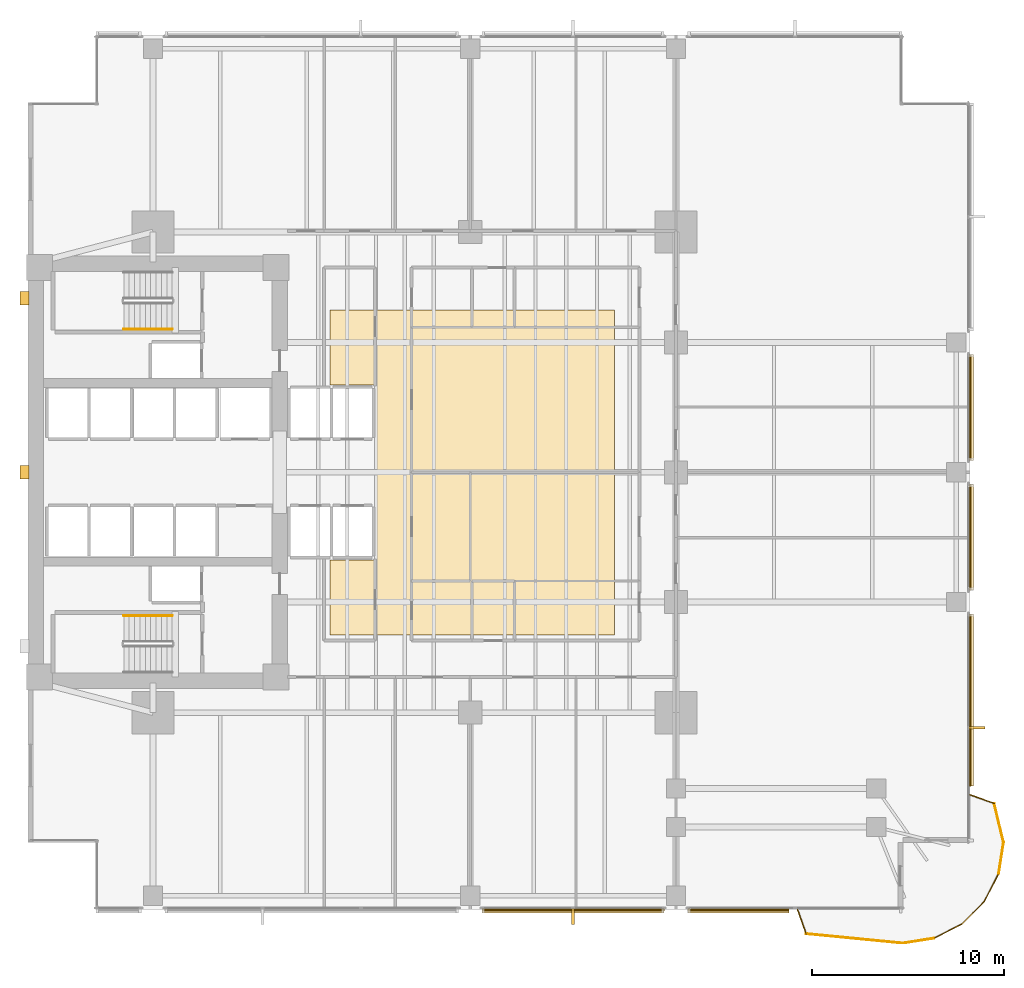
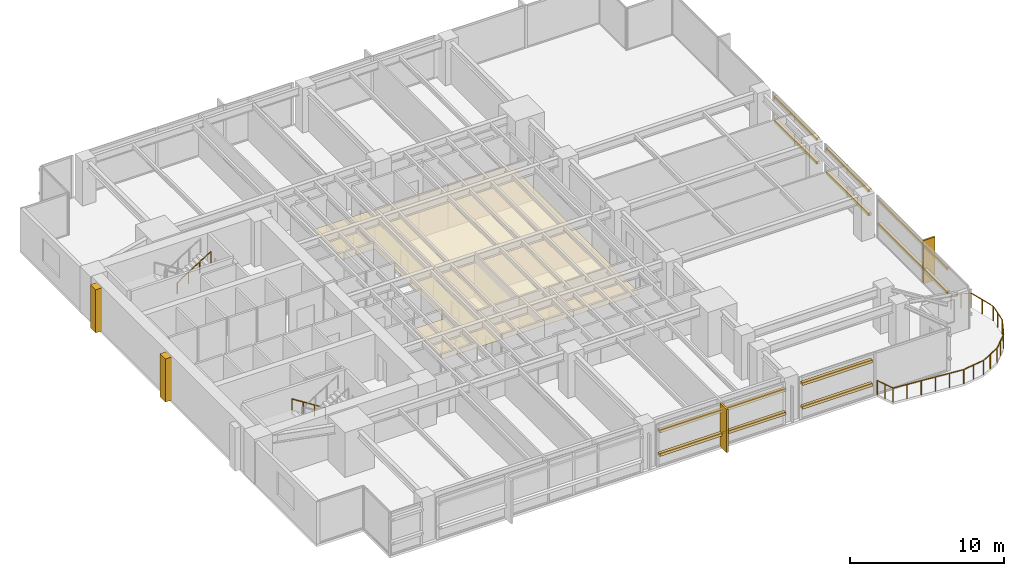
# One storey, part 13 of 15: 15 coverings, 11 railings, 10 shading devices.
"""IFC4 building model written with IfcOpenShell, lengths in metres."""

from ifc_helpers import new_model, si_unit, direction, frame, origin, origin_2d, place, context, subcontext, project, spatial, polyline, rectangle, circle, outline, extrude, material, layer, layer_set, material_profile, profile_set, type_object, element, save


model = new_model("IFC4")

# Units and contexts
model_context = context("Model", 3, precision=1e-05, world=origin(), true_north=direction((0.0, 1.0)))
body_context = subcontext(model_context, "Body", "Model", "MODEL_VIEW")
ifc_project = project(units=[si_unit("LENGTHUNIT", "METRE"), si_unit("AREAUNIT", "SQUARE_METRE"), si_unit("VOLUMEUNIT", "CUBIC_METRE"), si_unit("PLANEANGLEUNIT", "RADIAN"), si_unit("MASSUNIT", "GRAM", prefix="KILO")], contexts=[model_context])

# Site, building, storey
site_placement = place(None, origin())
site = spatial("IfcSite", under=ifc_project, at=site_placement, CompositionType="ELEMENT")
building_placement = place(site_placement, origin())
building = spatial("IfcBuilding", under=site, at=building_placement, Name="Kinhvarn Gate Tower", CompositionType="ELEMENT")
storey_placement = place(building_placement, frame((0.0, 0.0, 61.10009765625)))
storey = spatial("IfcBuildingStorey", under=building, at=storey_placement, Name="L15", CompositionType="ELEMENT", Elevation=61.10009765625)

# Coverings
ifc_material_1 = material(Name="Fired architectural terracotta", Category="masonry")
ifc_layer_1 = layer(ifc_material_1, 0.239990234375)
ifc_layer_set_1 = layer_set([ifc_layer_1], Name="Fired architectural terracotta")
covering_type_1 = type_object("IfcCoveringType", Name="COV-BAG-220", PredefinedType="CLADDING", material=ifc_layer_set_1)
for number, where, name in (
    (1, (0.0, 0.0, 0.93994140625), "Terracotta Horizontal Sunscreen Band TBG-220 (L15)"),
    (2, (0.0, 0.0, 2.809814453125), "Terracotta Horizontal Sunscreen Band TBG-220 (L15)"),
):
    element("IfcCovering", number, at=place(storey_placement, frame(where)), inside=storey, type_object=covering_type_1, Name=name, PredefinedType="CLADDING", context=body_context, shape_type="SweptSolid", body=[
        extrude(outline(polyline([(28.1201171875, 2.56005859375), (37.580078125, 2.56005859375), (37.580078125, 2.320068359375), (28.1201171875, 2.320068359375), (28.1201171875, 2.56005859375)])), origin(), (0.0, 0.0, 1.0), 0.219970703125),
    ])
for number, where, name in (
    (3, (0.0, 0.0, 0.93994140625), "Terracotta Horizontal Sunscreen Band TBG-220 (L15)"),
    (4, (0.0, 0.0, 2.809814453125), "Terracotta Horizontal Sunscreen Band TBG-220 (L15)"),
):
    element("IfcCovering", number, at=place(storey_placement, frame(where)), inside=storey, type_object=covering_type_1, Name=name, PredefinedType="CLADDING", context=body_context, shape_type="SweptSolid", body=[
        extrude(outline(polyline([(38.820068359375, 2.56005859375), (44.076904296875, 2.56005859375), (44.076904296875, 2.320068359375), (38.820068359375, 2.320068359375), (38.820068359375, 2.56005859375)])), origin(), (0.0, 0.0, 1.0), 0.219970703125),
    ])
for number, where, name in (
    (5, (0.0, 0.0, 0.93994140625), "Terracotta Horizontal Sunscreen Band TBG-220 (L15)"),
    (6, (0.0, 0.0, 2.809814453125), "Terracotta Horizontal Sunscreen Band TBG-220 (L15)"),
):
    element("IfcCovering", number, at=place(storey_placement, frame(where)), inside=storey, type_object=covering_type_1, Name=name, PredefinedType="CLADDING", context=body_context, shape_type="SweptSolid", body=[
        extrude(outline(polyline([(53.43994140625, 8.927001953125), (53.43994140625, 17.8798828125), (53.679931640625, 17.8798828125), (53.679931640625, 8.927001953125), (53.43994140625, 8.927001953125)])), origin(), (0.0, 0.0, 1.0), 0.219970703125),
    ])
for number, where, name in (
    (7, (0.0, 0.0, 0.93994140625), "Terracotta Horizontal Sunscreen Band TBG-220 (L15)"),
    (8, (0.0, 0.0, 2.809814453125), "Terracotta Horizontal Sunscreen Band TBG-220 (L15)"),
):
    element("IfcCovering", number, at=place(storey_placement, frame(where)), inside=storey, type_object=covering_type_1, Name=name, PredefinedType="CLADDING", context=body_context, shape_type="SweptSolid", body=[
        extrude(outline(polyline([(53.43994140625, 19.1201171875), (53.43994140625, 24.6298828125), (53.679931640625, 24.6298828125), (53.679931640625, 19.1201171875), (53.43994140625, 19.1201171875)])), origin(), (0.0, 0.0, 1.0), 0.219970703125),
    ])
for number, where, name in (
    (9, (0.0, 0.0, 0.93994140625), "Terracotta Horizontal Sunscreen Band TBG-220 (L15)"),
    (10, (0.0, 0.0, 2.809814453125), "Terracotta Horizontal Sunscreen Band TBG-220 (L15)"),
):
    element("IfcCovering", number, at=place(storey_placement, frame(where)), inside=storey, type_object=covering_type_1, Name=name, PredefinedType="CLADDING", context=body_context, shape_type="SweptSolid", body=[
        extrude(outline(polyline([(53.43994140625, 25.8701171875), (53.43994140625, 31.3798828125), (53.679931640625, 31.3798828125), (53.679931640625, 25.8701171875), (53.43994140625, 25.8701171875)])), origin(), (0.0, 0.0, 1.0), 0.219970703125),
    ])
ifc_material_2 = material(Name="Mineral-fibre acoustic ceiling tile")
ifc_layer_2 = layer(ifc_material_2, 0.02001953125)
ifc_layer_set_2 = layer_set([ifc_layer_2], Name="Mineral-fibre acoustic ceiling tile")
covering_type_2 = type_object("IfcCoveringType", Name="COV-CEIL-20", PredefinedType="CEILING", material=ifc_layer_set_2)
covering_1_placement = place(storey_placement, frame((0.0, 0.0, 2.64990234375)))
element("IfcCovering", 11, at=covering_1_placement, inside=storey, type_object=covering_type_2, Name="Suspended Acoustic Ceiling Tile (L15-1)", PredefinedType="CEILING", context=body_context, shape_type="SweptSolid", body=[
    extrude(outline(polyline([(35.0, 33.699951171875), (35.0, 16.800048828125), (20.199951171875, 16.800048828125), (20.199951171875, 20.699951171875), (22.60009765625, 20.699951171875), (22.60009765625, 29.800048828125), (20.199951171875, 29.800048828125), (20.199951171875, 33.699951171875), (35.0, 33.699951171875)])), origin(), (0.0, 0.0, 1.0), 0.02001953125),
])
ifc_layer_3 = layer(ifc_material_1, 0.139892578125)
ifc_layer_set_3 = layer_set([ifc_layer_3], Name="Fired architectural terracotta")
covering_type_3 = type_object("IfcCoveringType", Name="COV-FIN-850", PredefinedType="CLADDING", material=ifc_layer_set_3)
covering_2_placement = place(storey_placement, frame((0.0, 0.0, -0.02001953125)))
element("IfcCovering", 12, at=covering_2_placement, inside=storey, type_object=covering_type_3, Name="Vertical Terracotta Expressive Fin TFN-850 (L15)", PredefinedType="CLADDING", context=body_context, shape_type="SweptSolid", body=[
    extrude(outline(polyline([(32.780029296875, 2.570068359375), (32.919921875, 2.570068359375), (32.919921875, 1.719970703125), (32.780029296875, 1.719970703125), (32.780029296875, 2.570068359375)])), origin(), (0.0, 0.0, 1.0), 3.409912109375),
])
covering_3_placement = place(storey_placement, frame((0.0, 0.0, -0.02001953125)))
element("IfcCovering", 13, at=covering_3_placement, inside=storey, type_object=covering_type_3, Name="Vertical Terracotta Expressive Fin TFN-850 (L15)", PredefinedType="CLADDING", context=body_context, shape_type="SweptSolid", body=[
    extrude(outline(polyline([(53.429931640625, 11.889892578125), (53.429931640625, 12.030029296875), (54.280029296875, 12.030029296875), (54.280029296875, 11.889892578125), (53.429931640625, 11.889892578125)])), origin(), (0.0, 0.0, 1.0), 3.409912109375),
])
ifc_material_3 = material(Name="Precast white architectural concrete C40/50", Category="concrete")
ifc_layer_4 = layer(ifc_material_3, 0.47998046875)
ifc_layer_set_4 = layer_set([ifc_layer_4], Name="Precast white architectural concrete C40/50")
covering_type_4 = type_object("IfcCoveringType", Name="COV-RIB-450", PredefinedType="CLADDING", material=ifc_layer_set_4)
covering_4_placement = place(storey_placement, frame((0.0, 0.0, -0.02001953125)))
element("IfcCovering", 14, at=covering_4_placement, inside=storey, type_object=covering_type_4, Name="West Core Sculptural Concrete Relief Rib CRB-450 (L15)", PredefinedType="CLADDING", context=body_context, shape_type="SweptSolid", body=[
    extrude(outline(polyline([(4.080078125, 24.89990234375), (4.56005859375, 24.89990234375), (4.56005859375, 25.60009765625), (4.080078125, 25.60009765625), (4.080078125, 24.89990234375)])), origin(), (0.0, 0.0, 1.0), 3.409912109375),
])
covering_5_placement = place(storey_placement, frame((0.0, 0.0, -0.02001953125)))
element("IfcCovering", 15, at=covering_5_placement, inside=storey, type_object=covering_type_4, Name="West Core Sculptural Concrete Relief Rib CRB-450 (L15)", PredefinedType="CLADDING", context=body_context, shape_type="SweptSolid", body=[
    extrude(outline(polyline([(4.080078125, 33.949951171875), (4.56005859375, 33.949951171875), (4.56005859375, 34.64990234375), (4.080078125, 34.64990234375), (4.080078125, 33.949951171875)])), origin(), (0.0, 0.0, 1.0), 3.409912109375),
])

# Railings
ifc_material_4 = material(Name="Clear low-e double glazing", Category="glass")
railing_type_1 = type_object("IfcRailingType", Name="RL-BAL-1150", PredefinedType="BALUSTRADE", material=ifc_material_4)
railing_1_placement = place(storey_placement, frame((44.527099609375, 2.5, 0.0)))
element("IfcRailing", 16, at=railing_1_placement, inside=storey, type_object=railing_type_1, Name="S-Carve Balcony Guardrail Seg 1 (L15)", PredefinedType="BALUSTRADE", context=body_context, shape_type="SweptSolid", body=[
    extrude(circle(Radius=0.02392578125, at=origin_2d()), frame((0.0, 0.0, 1.1259765625), z_axis=(0.337694109831, -0.94125591004, 0.0), x_axis=(0.94125591004, 0.337694109831, 0.0)), (0.0, 0.0, 1.0), 1.33251953125),
    extrude(circle(Radius=0.02099609375, at=origin_2d()), origin(), (0.0, 0.0, 1.0), 1.101806640625),
    extrude(circle(Radius=0.02099609375, at=origin_2d()), frame((0.22509765625, -0.626953125, 0.0)), (0.0, 0.0, 1.0), 1.101806640625),
    extrude(circle(Radius=0.02099609375, at=origin_2d()), frame((0.449951171875, -1.254150390625, 0.0)), (0.0, 0.0, 1.0), 1.101806640625),
])
railing_2_placement = place(storey_placement, frame((44.97705078125, 1.245849609375, 0.0)))
element("IfcRailing", 17, at=railing_2_placement, inside=storey, type_object=railing_type_1, Name="S-Carve Balcony Guardrail Seg 2 (L15)", PredefinedType="BALUSTRADE", context=body_context, shape_type="SweptSolid", body=[
    extrude(circle(Radius=0.02392578125, at=origin_2d()), frame((0.0, 0.0, 1.1259765625), z_axis=(0.995317639401, -0.096658143459, 0.0), x_axis=(0.096658143459, 0.995317639401, 0.0)), (0.0, 0.0, 1.0), 5.046630859375),
    extrude(circle(Radius=0.02099609375, at=origin_2d()), origin(), (0.0, 0.0, 1.0), 1.101806640625),
    extrude(circle(Radius=0.02099609375, at=origin_2d()), frame((1.004638671875, -0.09765625, 0.0)), (0.0, 0.0, 1.0), 1.101806640625),
    extrude(circle(Radius=0.02099609375, at=origin_2d()), frame((2.00927734375, -0.195068359375, 0.0)), (0.0, 0.0, 1.0), 1.101806640625),
    extrude(circle(Radius=0.02099609375, at=origin_2d()), frame((3.013671875, -0.292724609375, 0.0)), (0.0, 0.0, 1.0), 1.101806640625),
    extrude(circle(Radius=0.02099609375, at=origin_2d()), frame((4.018310546875, -0.39013671875, 0.0)), (0.0, 0.0, 1.0), 1.101806640625),
    extrude(circle(Radius=0.02099609375, at=origin_2d()), frame((5.02294921875, -0.48779296875, 0.0)), (0.0, 0.0, 1.0), 1.101806640625),
])
railing_3_placement = place(storey_placement, frame((50.0, 0.758056640625, 0.0)))
element("IfcRailing", 18, at=railing_3_placement, inside=storey, type_object=railing_type_1, Name="S-Carve Balcony Guardrail Seg 3 (L15)", PredefinedType="BALUSTRADE", context=body_context, shape_type="SweptSolid", body=[
    extrude(circle(Radius=0.02392578125, at=origin_2d()), frame((0.0, 0.0, 1.1259765625), z_axis=(0.987685597944, 0.156451780473, 0.0), x_axis=(-0.156451780473, 0.987685597944, 0.0)), (0.0, 0.0, 1.0), 1.64013671875),
    extrude(circle(Radius=0.02099609375, at=origin_2d()), origin(), (0.0, 0.0, 1.0), 1.101806640625),
    extrude(circle(Radius=0.02099609375, at=origin_2d()), frame((0.81005859375, 0.12841796875, 0.0)), (0.0, 0.0, 1.0), 1.101806640625),
    extrude(circle(Radius=0.02099609375, at=origin_2d()), frame((1.619873046875, 0.256591796875, 0.0)), (0.0, 0.0, 1.0), 1.101806640625),
])
railing_4_placement = place(storey_placement, frame((51.619873046875, 1.0146484375, 0.0)))
element("IfcRailing", 19, at=railing_4_placement, inside=storey, type_object=railing_type_1, Name="S-Carve Balcony Guardrail Seg 4 (L15)", PredefinedType="BALUSTRADE", context=body_context, shape_type="SweptSolid", body=[
    extrude(circle(Radius=0.02392578125, at=origin_2d()), frame((0.0, 0.0, 1.1259765625), z_axis=(0.891067895226, 0.453870032166, 0.0), x_axis=(-0.453870032166, 0.891067895226, 0.0)), (0.0, 0.0, 1.0), 1.64013671875),
    extrude(circle(Radius=0.02099609375, at=origin_2d()), origin(), (0.0, 0.0, 1.0), 1.101806640625),
    extrude(circle(Radius=0.02099609375, at=origin_2d()), frame((0.730712890625, 0.3720703125, 0.0)), (0.0, 0.0, 1.0), 1.101806640625),
    extrude(circle(Radius=0.02099609375, at=origin_2d()), frame((1.46142578125, 0.744384765625, 0.0)), (0.0, 0.0, 1.0), 1.101806640625),
])
railing_5_placement = place(storey_placement, frame((53.081298828125, 1.759033203125, 0.0)))
element("IfcRailing", 20, at=railing_5_placement, inside=storey, type_object=railing_type_1, Name="S-Carve Balcony Guardrail Seg 5 (L15)", PredefinedType="BALUSTRADE", context=body_context, shape_type="SweptSolid", body=[
    extrude(circle(Radius=0.02392578125, at=origin_2d()), frame((0.0, 0.0, 1.1259765625), z_axis=(0.707106781187, 0.707106781187, 0.0), x_axis=(-0.707106781187, 0.707106781187, 0.0)), (0.0, 0.0, 1.0), 1.64013671875),
    extrude(circle(Radius=0.02099609375, at=origin_2d()), origin(), (0.0, 0.0, 1.0), 1.101806640625),
    extrude(circle(Radius=0.02099609375, at=origin_2d()), frame((0.579833984375, 0.579833984375, 0.0)), (0.0, 0.0, 1.0), 1.101806640625),
    extrude(circle(Radius=0.02099609375, at=origin_2d()), frame((1.15966796875, 1.15966796875, 0.0)), (0.0, 0.0, 1.0), 1.101806640625),
])
railing_6_placement = place(storey_placement, frame((54.240966796875, 2.918701171875, 0.0)))
element("IfcRailing", 21, at=railing_6_placement, inside=storey, type_object=railing_type_1, Name="S-Carve Balcony Guardrail Seg 6 (L15)", PredefinedType="BALUSTRADE", context=body_context, shape_type="SweptSolid", body=[
    extrude(circle(Radius=0.02392578125, at=origin_2d()), frame((0.0, 0.0, 1.1259765625), z_axis=(0.453870032166, 0.891067895226, 0.0), x_axis=(-0.891067895226, 0.453870032166, 0.0)), (0.0, 0.0, 1.0), 1.64013671875),
    extrude(circle(Radius=0.02099609375, at=origin_2d()), origin(), (0.0, 0.0, 1.0), 1.101806640625),
    extrude(circle(Radius=0.02099609375, at=origin_2d()), frame((0.3720703125, 0.730712890625, 0.0)), (0.0, 0.0, 1.0), 1.101806640625),
    extrude(circle(Radius=0.02099609375, at=origin_2d()), frame((0.744384765625, 1.46142578125, 0.0)), (0.0, 0.0, 1.0), 1.101806640625),
])
railing_7_placement = place(storey_placement, frame((54.9853515625, 4.380126953125, 0.0)))
element("IfcRailing", 22, at=railing_7_placement, inside=storey, type_object=railing_type_1, Name="S-Carve Balcony Guardrail Seg 7 (L15)", PredefinedType="BALUSTRADE", context=body_context, shape_type="SweptSolid", body=[
    extrude(circle(Radius=0.02392578125, at=origin_2d()), frame((0.0, 0.0, 1.1259765625), z_axis=(0.156451780473, 0.987685597944, 0.0), x_axis=(-0.987685597944, 0.156451780473, 0.0)), (0.0, 0.0, 1.0), 1.64013671875),
    extrude(circle(Radius=0.02099609375, at=origin_2d()), origin(), (0.0, 0.0, 1.0), 1.101806640625),
    extrude(circle(Radius=0.02099609375, at=origin_2d()), frame((0.12841796875, 0.81005859375, 0.0)), (0.0, 0.0, 1.0), 1.101806640625),
    extrude(circle(Radius=0.02099609375, at=origin_2d()), frame((0.256591796875, 1.619873046875, 0.0)), (0.0, 0.0, 1.0), 1.101806640625),
])
railing_8_placement = place(storey_placement, frame((55.241943359375, 6.0, 0.0)))
element("IfcRailing", 23, at=railing_8_placement, inside=storey, type_object=railing_type_1, Name="S-Carve Balcony Guardrail Seg 8 (L15)", PredefinedType="BALUSTRADE", context=body_context, shape_type="SweptSolid", body=[
    extrude(circle(Radius=0.02392578125, at=origin_2d()), frame((0.0, 0.0, 1.1259765625), z_axis=(-0.233957503792, 0.972246823816, 0.0), x_axis=(-0.972246823816, -0.233957503792, 0.0)), (0.0, 0.0, 1.0), 2.0849609375),
    extrude(circle(Radius=0.02099609375, at=origin_2d()), origin(), (0.0, 0.0, 1.0), 1.101806640625),
    extrude(circle(Radius=0.02099609375, at=origin_2d()), frame((-0.243896484375, 1.013671875, 0.0)), (0.0, 0.0, 1.0), 1.101806640625),
    extrude(circle(Radius=0.02099609375, at=origin_2d()), frame((-0.48779296875, 2.027099609375, 0.0)), (0.0, 0.0, 1.0), 1.101806640625),
])
railing_9_placement = place(storey_placement, frame((54.754150390625, 8.027099609375, 0.0)))
element("IfcRailing", 24, at=railing_9_placement, inside=storey, type_object=railing_type_1, Name="S-Carve Balcony Guardrail Seg 9 (L15)", PredefinedType="BALUSTRADE", context=body_context, shape_type="SweptSolid", body=[
    extrude(circle(Radius=0.02392578125, at=origin_2d()), frame((0.0, 0.0, 1.1259765625), z_axis=(-0.94125591004, 0.337694109831, 0.0), x_axis=(-0.337694109831, -0.94125591004, 0.0)), (0.0, 0.0, 1.0), 1.33251953125),
    extrude(circle(Radius=0.02099609375, at=origin_2d()), origin(), (0.0, 0.0, 1.0), 1.101806640625),
    extrude(circle(Radius=0.02099609375, at=origin_2d()), frame((-0.626953125, 0.22509765625, 0.0)), (0.0, 0.0, 1.0), 1.101806640625),
    extrude(circle(Radius=0.02099609375, at=origin_2d()), frame((-1.254150390625, 0.449951171875, 0.0)), (0.0, 0.0, 1.0), 1.101806640625),
])
ifc_material_5 = material(Name="Steel S355", Category="steel")
railing_type_2 = type_object("IfcRailingType", Name="RL-ST-HND", PredefinedType="HANDRAIL", material=ifc_material_5)
railing_10_placement = place(storey_placement, frame((12.0, 17.800048828125, 0.177490234375)))
element("IfcRailing", 25, at=railing_10_placement, inside=storey, type_object=railing_type_2, Name="L15 ST1 stair handrail 1", PredefinedType="HANDRAIL", context=body_context, shape_type="SweptSolid", body=[
    extrude(circle(Radius=0.02392578125, at=origin_2d()), frame((0.0, 0.0, 0.8759765625), z_axis=(-0.84460694969, 0.0, 0.535386869969), x_axis=(0.0, -1.0, 0.0)), (0.0, 0.0, 1.0), 2.983642578125),
    extrude(circle(Radius=0.02099609375, at=origin_2d()), origin(), (0.0, 0.0, 1.0), 0.851806640625),
    extrude(circle(Radius=0.02099609375, at=origin_2d()), frame((-0.840087890625, 0.0, 0.532470703125)), (0.0, 0.0, 1.0), 0.851806640625),
    extrude(circle(Radius=0.02099609375, at=origin_2d()), frame((-1.679931640625, 0.0, 1.06494140625)), (0.0, 0.0, 1.0), 0.851806640625),
    extrude(circle(Radius=0.02099609375, at=origin_2d()), frame((-2.52001953125, 0.0, 1.597412109375)), (0.0, 0.0, 1.0), 0.851806640625),
])
railing_11_placement = place(storey_placement, frame((9.47998046875, 32.699951171875, 1.952392578125)))
element("IfcRailing", 26, at=railing_11_placement, inside=storey, type_object=railing_type_2, Name="L15 ST2 stair handrail 2", PredefinedType="HANDRAIL", context=body_context, shape_type="SweptSolid", body=[
    extrude(circle(Radius=0.02392578125, at=origin_2d()), frame((0.0, 0.0, 0.8759765625), z_axis=(0.84460694969, 0.0, 0.535386869969), x_axis=(0.0, 1.0, 0.0)), (0.0, 0.0, 1.0), 2.983642578125),
    extrude(circle(Radius=0.02099609375, at=origin_2d()), origin(), (0.0, 0.0, 1.0), 0.851806640625),
    extrude(circle(Radius=0.02099609375, at=origin_2d()), frame((0.840087890625, 0.0, 0.532470703125)), (0.0, 0.0, 1.0), 0.851806640625),
    extrude(circle(Radius=0.02099609375, at=origin_2d()), frame((1.679931640625, 0.0, 1.06494140625)), (0.0, 0.0, 1.0), 0.851806640625),
    extrude(circle(Radius=0.02099609375, at=origin_2d()), frame((2.52001953125, 0.0, 1.597412109375)), (0.0, 0.0, 1.0), 0.851806640625),
])

# Shading devices
ifc_material_profile = material_profile(ifc_material_1, rectangle(XDim=0.06005859375, YDim=0.139892578125, at=origin_2d()), Name="TC 60x140")
ifc_profile_set = profile_set([ifc_material_profile], Name="Fired architectural terracotta")
shading_device_type = type_object("IfcShadingDeviceType", Name="SHD-BAG-180", PredefinedType="USERDEFINED", material=ifc_profile_set)
for number, where, z_axis, x_axis, name in (
    (27, (28.1201171875, 2.485107421875, 1.0498046875), (1.0, 0.0, 0.0), (0.0, 1.0, 0.0), "Fired Terracotta Baguette Screen Rod 60x140 mm (L15)"),
    (28, (28.1201171875, 2.485107421875, 2.919921875), (1.0, 0.0, 0.0), (0.0, 1.0, 0.0), "Fired Terracotta Baguette Screen Rod 60x140 mm (L15)"),
):
    element("IfcShadingDevice", number, at=place(storey_placement, frame(where, z_axis=z_axis, x_axis=x_axis)), inside=storey, type_object=shading_device_type, Name=name, ObjectType="BAGUETTE", PredefinedType="USERDEFINED", context=body_context, shape_type="SweptSolid", body=[
        extrude(rectangle(XDim=0.06005859375, YDim=0.139892578125, at=origin_2d()), origin(), (0.0, 0.0, 1.0), 9.4599609375),
    ])
for number, where, z_axis, x_axis, name in (
    (29, (38.820068359375, 2.485107421875, 1.0498046875), (1.0, 0.0, 0.0), (0.0, 1.0, 0.0), "Fired Terracotta Baguette Screen Rod 60x140 mm (L15)"),
    (30, (38.820068359375, 2.485107421875, 2.919921875), (1.0, 0.0, 0.0), (0.0, 1.0, 0.0), "Fired Terracotta Baguette Screen Rod 60x140 mm (L15)"),
):
    element("IfcShadingDevice", number, at=place(storey_placement, frame(where, z_axis=z_axis, x_axis=x_axis)), inside=storey, type_object=shading_device_type, Name=name, ObjectType="BAGUETTE", PredefinedType="USERDEFINED", context=body_context, shape_type="SweptSolid", body=[
        extrude(rectangle(XDim=0.06005859375, YDim=0.139892578125, at=origin_2d()), origin(), (0.0, 0.0, 1.0), 5.2568359375),
    ])
for number, where, z_axis, x_axis, name in (
    (31, (53.514892578125, 8.927001953125, 1.0498046875), (0.0, 1.0, 0.0), (-1.0, 0.0, 0.0), "Fired Terracotta Baguette Screen Rod 60x140 mm (L15)"),
    (32, (53.514892578125, 8.927001953125, 2.919921875), (0.0, 1.0, 0.0), (-1.0, 0.0, 0.0), "Fired Terracotta Baguette Screen Rod 60x140 mm (L15)"),
):
    element("IfcShadingDevice", number, at=place(storey_placement, frame(where, z_axis=z_axis, x_axis=x_axis)), inside=storey, type_object=shading_device_type, Name=name, ObjectType="BAGUETTE", PredefinedType="USERDEFINED", context=body_context, shape_type="SweptSolid", body=[
        extrude(rectangle(XDim=0.06005859375, YDim=0.139892578125, at=origin_2d()), origin(), (0.0, 0.0, 1.0), 8.952880859375),
    ])
for number, where, z_axis, x_axis, name in (
    (33, (53.514892578125, 19.1201171875, 1.0498046875), (0.0, 1.0, 0.0), (-1.0, 0.0, 0.0), "Fired Terracotta Baguette Screen Rod 60x140 mm (L15)"),
    (34, (53.514892578125, 19.1201171875, 2.919921875), (0.0, 1.0, 0.0), (-1.0, 0.0, 0.0), "Fired Terracotta Baguette Screen Rod 60x140 mm (L15)"),
    (35, (53.514892578125, 25.8701171875, 1.0498046875), (0.0, 1.0, 0.0), (-1.0, 0.0, 0.0), "Fired Terracotta Baguette Screen Rod 60x140 mm (L15)"),
    (36, (53.514892578125, 25.8701171875, 2.919921875), (0.0, 1.0, 0.0), (-1.0, 0.0, 0.0), "Fired Terracotta Baguette Screen Rod 60x140 mm (L15)"),
):
    element("IfcShadingDevice", number, at=place(storey_placement, frame(where, z_axis=z_axis, x_axis=x_axis)), inside=storey, type_object=shading_device_type, Name=name, ObjectType="BAGUETTE", PredefinedType="USERDEFINED", context=body_context, shape_type="SweptSolid", body=[
        extrude(rectangle(XDim=0.06005859375, YDim=0.139892578125, at=origin_2d()), origin(), (0.0, 0.0, 1.0), 5.509765625),
    ])

save(model, "model.ifc")
